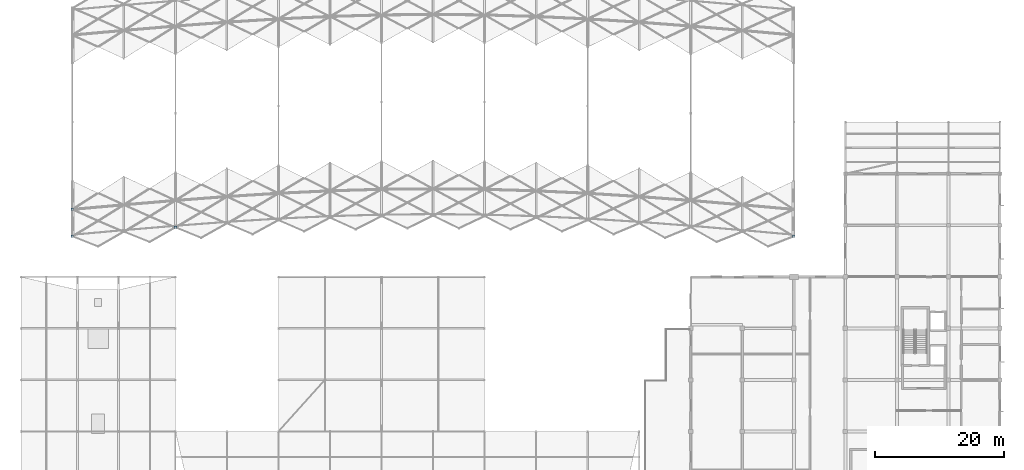
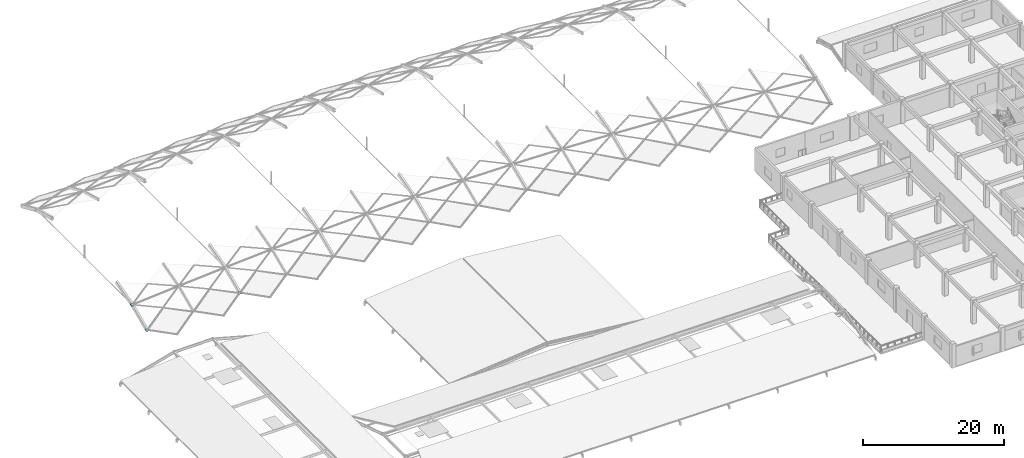
# One storey, part 35 of 54: 4 plates.
"""IFC4 building model written with IfcOpenShell, lengths in metres."""

from ifc_helpers import new_model, si_unit, direction, frame, origin, place, context, subcontext, project, spatial, polyline, outline, extrude, material, layer, layer_set, type_object, element, save


model = new_model("IFC4")

# Units and contexts
model_context = context("Model", 3, precision=1e-05, world=origin(), true_north=direction((0.0, 1.0)))
body_context = subcontext(model_context, "Body", "Model", "MODEL_VIEW")
ifc_project = project(units=[si_unit("LENGTHUNIT", "METRE"), si_unit("AREAUNIT", "SQUARE_METRE"), si_unit("VOLUMEUNIT", "CUBIC_METRE"), si_unit("PLANEANGLEUNIT", "RADIAN"), si_unit("MASSUNIT", "GRAM", prefix="KILO")], contexts=[model_context])

# Site, building, storey
site_placement = place(None, origin())
site = spatial("IfcSite", under=ifc_project, at=site_placement, CompositionType="ELEMENT")
building_placement = place(site_placement, origin())
building = spatial("IfcBuilding", under=site, at=building_placement, Name="Kenh Van Central Station", CompositionType="ELEMENT")
storey_placement = place(building_placement, frame((0.0, 0.0, 15.0)))
storey = spatial("IfcBuildingStorey", under=building, at=storey_placement, Name="L03", CompositionType="ELEMENT", Elevation=15.0)

# Plates
ifc_material = material(Name="White fluoropolymer structural steel S355", Category="steel")
ifc_layer = layer(ifc_material, 0.02490234375, Name="White fluoropolymer structural steel S355")
ifc_layer_set = layer_set([ifc_layer], Name="White fluoropolymer structural steel S355")
plate_type = type_object("IfcPlateType", Name="PLT-GUSSET-NP25", PredefinedType="USERDEFINED", material=ifc_layer_set)
plate_1_placement = place(storey_placement, frame((31.780029296875, 70.0771484375, 2.121826171875), z_axis=(0.0, -0.484983194007, 0.874523471115), x_axis=(1.0, 0.0, 0.0)))
element("IfcPlate", 1, at=plate_1_placement, inside=storey, type_object=plate_type, Name="Vault node gusset plate NP-25 002", ObjectType="GUSSET_PLATE", PredefinedType="USERDEFINED", context=body_context, shape_type="SweptSolid", body=[
    extrude(outline(polyline([(0.0, 0.0), (0.43994140625, 0.0), (0.43994140625, 0.4399717534275206), (0.0, 0.4399717534275206), (0.0, 0.0)])), origin(), (0.0, 0.0, -1.0), 0.02490234375),
])
plate_2_placement = place(storey_placement, frame((31.780029296875, 74.258056640625, 3.996826171875), z_axis=(0.0, -0.329015531379, 0.94432450996), x_axis=(1.0, 0.0, 0.0)))
element("IfcPlate", 2, at=plate_2_placement, inside=storey, type_object=plate_type, Name="Vault node gusset plate NP-25 003", ObjectType="GUSSET_PLATE", PredefinedType="USERDEFINED", context=body_context, shape_type="SweptSolid", body=[
    extrude(outline(polyline([(0.0, 0.0), (0.43994140625, 0.0), (0.43994140625, 0.4400260073388299), (0.0, 0.4400260073388299), (0.0, 0.0)])), origin(), (0.0, 0.0, -1.0), 0.02490234375),
])
for number, where, z_axis, x_axis, name in (
    (3, (47.780029296875, 71.465576171875, 2.121826171875), (0.0, -0.484983194007, 0.874523471115), (1.0, 0.0, 0.0), "Vault node gusset plate NP-25 012"),
    (4, (143.780029296875, 70.0771484375, 2.121826171875), (0.0, -0.484983194007, 0.874523471115), (1.0, 0.0, 0.0), "Vault node gusset plate NP-25 043"),
):
    element("IfcPlate", number, at=place(storey_placement, frame(where, z_axis=z_axis, x_axis=x_axis)), inside=storey, type_object=plate_type, Name=name, ObjectType="GUSSET_PLATE", PredefinedType="USERDEFINED", context=body_context, shape_type="SweptSolid", body=[
        extrude(outline(polyline([(0.0, 0.0), (0.43994140625, 0.0), (0.43994140625, 0.4399717534275206), (0.0, 0.4399717534275206), (0.0, 0.0)])), origin(), (0.0, 0.0, -1.0), 0.02490234375),
    ])

save(model, "model.ifc")
